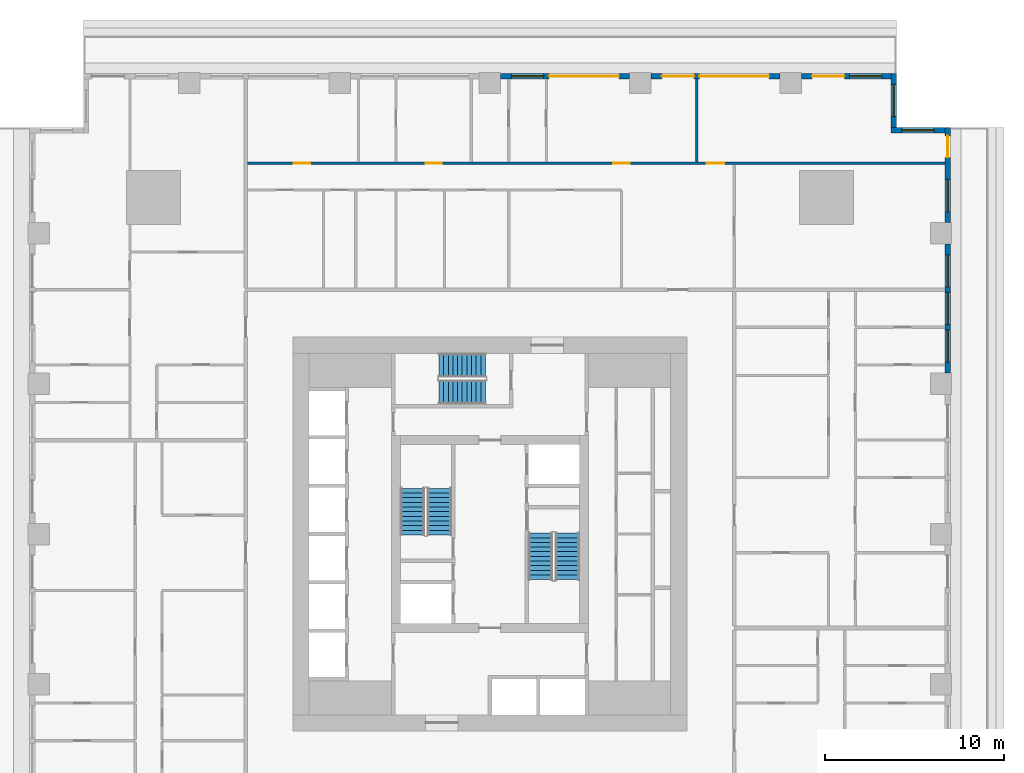
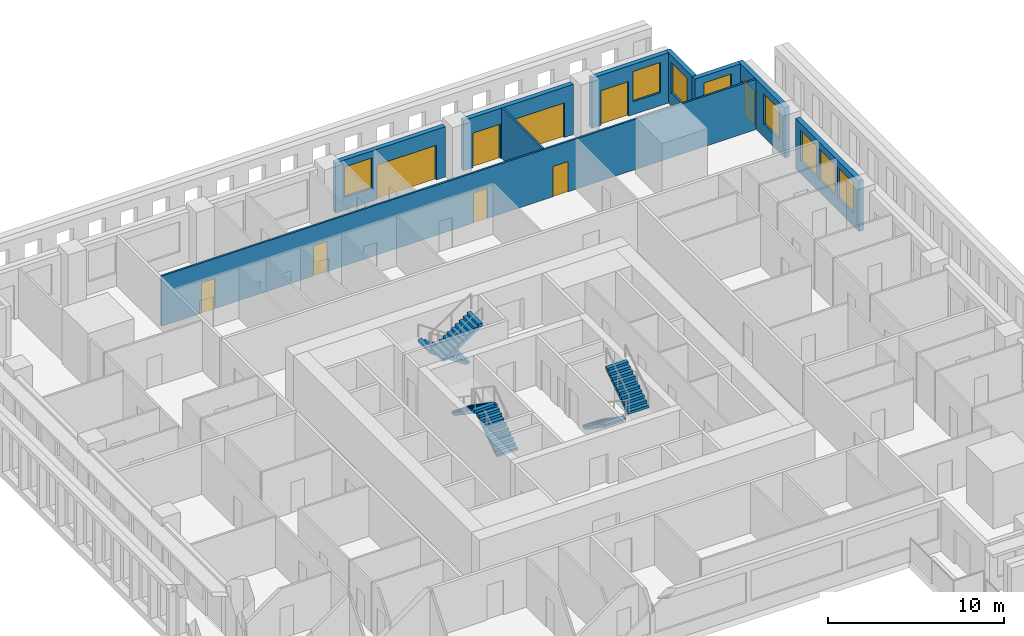
# One storey, part 9 of 14: 9 doors, 9 walls, 8 windows, 6 stair flights, 17 openings, 3 elements without a shape of their own.
"""IFC4 building model written with IfcOpenShell, lengths in metres."""

from ifc_helpers import new_model, si_unit, direction, frame, frame_2d, origin, place, context, subcontext, project, spatial, polyline, rectangle, outline, extrude, material, layer, layer_set, type_object, element, fill, aggregate, save


model = new_model("IFC4")

# Units and contexts
model_context = context("Model", 3, precision=1e-05, world=origin(), true_north=direction((0.0, 1.0)))
body_context = subcontext(model_context, "Body", "Model", "MODEL_VIEW")
ifc_project = project(units=[si_unit("LENGTHUNIT", "METRE"), si_unit("AREAUNIT", "SQUARE_METRE"), si_unit("VOLUMEUNIT", "CUBIC_METRE"), si_unit("PLANEANGLEUNIT", "RADIAN"), si_unit("MASSUNIT", "GRAM", prefix="KILO")], contexts=[model_context])

# Site, building, storey
site_placement = place(None, origin())
site = spatial("IfcSite", under=ifc_project, at=site_placement, CompositionType="ELEMENT")
building_placement = place(site_placement, origin())
building = spatial("IfcBuilding", under=site, at=building_placement, Name="Khepri Terraces", CompositionType="ELEMENT")
storey_placement = place(building_placement, frame((0.0, 0.0, 66.0)))
storey = spatial("IfcBuildingStorey", under=building, at=storey_placement, Name="L15", CompositionType="ELEMENT", Elevation=66.0)

# Wall, openings, windows
ifc_material_1 = material(Name="Precast concrete C50/60 warm stone", Category="masonry")
ifc_layer_1 = layer(ifc_material_1, 0.300048828125, Name="Precast concrete C50/60 warm stone", Category="masonry")
ifc_layer_set_1 = layer_set([ifc_layer_1], Name="Precast concrete C50/60 warm stone")
wall_type_1 = type_object("IfcWallType", Name="WL-EXT-PRECAST-300", PredefinedType="STANDARD", material=ifc_layer_set_1)
wall_1_placement = place(storey_placement, frame((25.570068359375, 9.0, 0.0), z_axis=(0.0, 0.0, 1.0), x_axis=(0.0, 1.0, 0.0)))
wall_1 = element("IfcWall", 1, at=wall_1_placement, inside=storey, type_object=wall_type_1, Name="External wall L15 E", PredefinedType="STANDARD", context=body_context, shape_type="SweptSolid", body=[
    extrude(rectangle(XDim=7.199951171875, YDim=0.300048828125, at=frame_2d((3.60009765625, 0.0))), origin(), (0.0, 0.0, 1.0), 3.47998046875),
])
opening_1_placement = place(wall_1_placement, frame((0.60009765625, 0.0, 0.89990234375)))
opening_1 = element("IfcOpeningElement", 2, at=opening_1_placement, cuts=wall_1, Name="Opening W1", PredefinedType="OPENING", context=body_context, shape_type="SweptSolid", body=[
    extrude(rectangle(XDim=1.800048828125, YDim=2.10009765625, at=frame_2d((0.89990234375, 1.050048828125))), frame((0.0, 0.16015625, 0.0), z_axis=(0.0, -1.0, 0.0), x_axis=(1.0, 0.0, 0.0)), (0.0, 0.0, 1.0), 0.320068359375),
])
opening_2_placement = place(wall_1_placement, frame((2.699951171875, 0.0, 0.89990234375)))
opening_2 = element("IfcOpeningElement", 3, at=opening_2_placement, cuts=wall_1, Name="Opening W1", PredefinedType="OPENING", context=body_context, shape_type="SweptSolid", body=[
    extrude(rectangle(XDim=1.800048828125, YDim=2.10009765625, at=frame_2d((0.89990234375, 1.050048828125))), frame((0.0, 0.16015625, 0.0), z_axis=(0.0, -1.0, 0.0), x_axis=(1.0, 0.0, 0.0)), (0.0, 0.0, 1.0), 0.320068359375),
])
opening_3_placement = place(wall_1_placement, frame((4.800048828125, 0.0, 0.89990234375)))
opening_3 = element("IfcOpeningElement", 4, at=opening_3_placement, cuts=wall_1, Name="Opening W1", PredefinedType="OPENING", context=body_context, shape_type="SweptSolid", body=[
    extrude(rectangle(XDim=1.800048828125, YDim=2.10009765625, at=frame_2d((0.89990234375, 1.050048828125))), frame((0.0, 0.16015625, 0.0), z_axis=(0.0, -1.0, 0.0), x_axis=(1.0, 0.0, 0.0)), (0.0, 0.0, 1.0), 0.320068359375),
])
ifc_material_2 = material(Name="Clear glass", Category="glass")
window_type = type_object("IfcWindowType", Name="WIN-RES-1800x2100", PartitioningType="SINGLE_PANEL", PredefinedType="WINDOW", material=ifc_material_2)
window_1_placement = place(opening_1_placement, origin())
window_1 = element("IfcWindow", 5, at=window_1_placement, inside=storey, type_object=window_type, Name="Window L15 E", OverallHeight=2.10009765625, OverallWidth=1.800048828125, PartitioningType="SINGLE_PANEL", PredefinedType="WINDOW", context=body_context, shape_type="SweptSolid", body=[
    extrude(rectangle(XDim=1.800048828125, YDim=2.10009765625, at=frame_2d((0.89990234375, 1.050048828125))), frame((0.0, 0.030029296875, 0.0), z_axis=(0.0, -1.0, 0.0), x_axis=(1.0, 0.0, 0.0)), (0.0, 0.0, 1.0), 0.06005859375),
])
fill(opening_1, window_1)
window_2_placement = place(opening_2_placement, origin())
window_2 = element("IfcWindow", 6, at=window_2_placement, inside=storey, type_object=window_type, Name="Window L15 E", OverallHeight=2.10009765625, OverallWidth=1.800048828125, PartitioningType="SINGLE_PANEL", PredefinedType="WINDOW", context=body_context, shape_type="SweptSolid", body=[
    extrude(rectangle(XDim=1.800048828125, YDim=2.10009765625, at=frame_2d((0.89990234375, 1.050048828125))), frame((0.0, 0.030029296875, 0.0), z_axis=(0.0, -1.0, 0.0), x_axis=(1.0, 0.0, 0.0)), (0.0, 0.0, 1.0), 0.06005859375),
])
fill(opening_2, window_2)
window_3_placement = place(opening_3_placement, origin())
window_3 = element("IfcWindow", 7, at=window_3_placement, inside=storey, type_object=window_type, Name="Window L15 E", OverallHeight=2.10009765625, OverallWidth=1.800048828125, PartitioningType="SINGLE_PANEL", PredefinedType="WINDOW", context=body_context, shape_type="SweptSolid", body=[
    extrude(rectangle(XDim=1.800048828125, YDim=2.10009765625, at=frame_2d((0.89990234375, 1.050048828125))), frame((0.0, 0.030029296875, 0.0), z_axis=(0.0, -1.0, 0.0), x_axis=(1.0, 0.0, 0.0)), (0.0, 0.0, 1.0), 0.06005859375),
])
fill(opening_3, window_3)

# Wall, openings, door, window
wall_2_placement = place(storey_placement, frame((25.570068359375, 17.39990234375, 0.0), z_axis=(0.0, 0.0, 1.0), x_axis=(0.0, 1.0, 0.0)))
wall_2 = element("IfcWall", 8, at=wall_2_placement, inside=storey, type_object=wall_type_1, Name="External wall L15 E", PredefinedType="STANDARD", context=body_context, shape_type="SweptSolid", body=[
    extrude(rectangle(XDim=5.320068359375, YDim=0.300048828125, at=frame_2d((2.66015625, 0.0))), origin(), (0.0, 0.0, 1.0), 3.47998046875),
])
opening_4_placement = place(wall_2_placement, frame((0.60009765625, 0.0, 0.89990234375)))
opening_4 = element("IfcOpeningElement", 9, at=opening_4_placement, cuts=wall_2, Name="Opening W1", PredefinedType="OPENING", context=body_context, shape_type="SweptSolid", body=[
    extrude(rectangle(XDim=1.800048828125, YDim=2.10009765625, at=frame_2d((0.89990234375, 1.050048828125))), frame((0.0, 0.16015625, 0.0), z_axis=(0.0, -1.0, 0.0), x_axis=(1.0, 0.0, 0.0)), (0.0, 0.0, 1.0), 0.320068359375),
])
opening_5_placement = place(wall_2_placement, frame((3.64501953125, 0.0, 0.0)))
opening_5 = element("IfcOpeningElement", 10, at=opening_5_placement, cuts=wall_2, Name="Opening ED-L15-06", PredefinedType="OPENING", context=body_context, shape_type="SweptSolid", body=[
    extrude(rectangle(XDim=1.199951171875, YDim=2.39990234375, at=frame_2d((0.60009765625, 1.199951171875))), frame((0.0, 0.16015625, 0.0), z_axis=(0.0, -1.0, 0.0), x_axis=(1.0, 0.0, 0.0)), (0.0, 0.0, 1.0), 0.320068359375),
])
ifc_material_3 = material(Name="Anodised aluminium bronze glazed door", Category="aluminium")
door_type_1 = type_object("IfcDoorType", Name="DR-BAL-SLIDE-1200x2400", OperationType="NOTDEFINED", PredefinedType="DOOR", material=ifc_material_3)
door_1_placement = place(opening_5_placement, origin())
door_1 = element("IfcDoor", 11, at=door_1_placement, inside=storey, type_object=door_type_1, Name="Balcony door L15 E", OperationType="SLIDING_TO_RIGHT", OverallHeight=2.39990234375, OverallWidth=1.199951171875, PredefinedType="DOOR", context=body_context, shape_type="SweptSolid", body=[
    extrude(rectangle(XDim=1.199951171875, YDim=2.39990234375, at=frame_2d((0.60009765625, 1.199951171875))), frame((0.0, 0.02490234375, 0.0), z_axis=(0.0, -1.0, 0.0), x_axis=(1.0, 0.0, 0.0)), (0.0, 0.0, 1.0), 0.050048828125),
])
fill(opening_5, door_1)
window_4_placement = place(opening_4_placement, origin())
window_4 = element("IfcWindow", 12, at=window_4_placement, inside=storey, type_object=window_type, Name="Window L15 E", OverallHeight=2.10009765625, OverallWidth=1.800048828125, PartitioningType="SINGLE_PANEL", PredefinedType="WINDOW", context=body_context, shape_type="SweptSolid", body=[
    extrude(rectangle(XDim=1.800048828125, YDim=2.10009765625, at=frame_2d((0.89990234375, 1.050048828125))), frame((0.0, 0.030029296875, 0.0), z_axis=(0.0, -1.0, 0.0), x_axis=(1.0, 0.0, 0.0)), (0.0, 0.0, 1.0), 0.06005859375),
])
fill(opening_4, window_4)

# Wall, opening, window
wall_3_placement = place(storey_placement, frame((25.419921875, 22.570068359375, 0.0), z_axis=(0.0, 0.0, 1.0), x_axis=(-1.0, 0.0, 0.0)))
wall_3 = element("IfcWall", 13, at=wall_3_placement, inside=storey, type_object=wall_type_1, Name="External wall L15 N", PredefinedType="STANDARD", context=body_context, shape_type="SweptSolid", body=[
    extrude(rectangle(XDim=3.0, YDim=0.300048828125, at=frame_2d((1.5, 0.0))), origin(), (0.0, 0.0, 1.0), 3.47998046875),
])
opening_6_placement = place(wall_3_placement, frame((0.60009765625, 0.0, 0.89990234375)))
opening_6 = element("IfcOpeningElement", 14, at=opening_6_placement, cuts=wall_3, Name="Opening W1", PredefinedType="OPENING", context=body_context, shape_type="SweptSolid", body=[
    extrude(rectangle(XDim=1.800048828125, YDim=2.10009765625, at=frame_2d((0.89990234375, 1.050048828125))), frame((0.0, 0.16015625, 0.0), z_axis=(0.0, -1.0, 0.0), x_axis=(1.0, 0.0, 0.0)), (0.0, 0.0, 1.0), 0.320068359375),
])
window_5_placement = place(opening_6_placement, origin())
window_5 = element("IfcWindow", 15, at=window_5_placement, inside=storey, type_object=window_type, Name="Window L15 N", OverallHeight=2.10009765625, OverallWidth=1.800048828125, PartitioningType="SINGLE_PANEL", PredefinedType="WINDOW", context=body_context, shape_type="SweptSolid", body=[
    extrude(rectangle(XDim=1.800048828125, YDim=2.10009765625, at=frame_2d((0.89990234375, 1.050048828125))), frame((0.0, 0.030029296875, 0.0), z_axis=(0.0, -1.0, 0.0), x_axis=(1.0, 0.0, 0.0)), (0.0, 0.0, 1.0), 0.06005859375),
])
fill(opening_6, window_5)

wall_4_placement = place(storey_placement, frame((22.570068359375, 22.719970703125, 0.0), z_axis=(0.0, 0.0, 1.0), x_axis=(0.0, 1.0, 0.0)))
wall_4 = element("IfcWall", 16, at=wall_4_placement, inside=storey, type_object=wall_type_1, Name="External wall L15 E", PredefinedType="STANDARD", context=body_context, shape_type="SweptSolid", body=[
    extrude(rectangle(XDim=3.0, YDim=0.300048828125, at=frame_2d((1.5, 0.0))), origin(), (0.0, 0.0, 1.0), 3.47998046875),
])
opening_7_placement = place(wall_4_placement, frame((0.60009765625, 0.0, 0.89990234375)))
opening_7 = element("IfcOpeningElement", 17, at=opening_7_placement, cuts=wall_4, Name="Opening W1", PredefinedType="OPENING", context=body_context, shape_type="SweptSolid", body=[
    extrude(rectangle(XDim=1.800048828125, YDim=2.10009765625, at=frame_2d((0.89990234375, 1.050048828125))), frame((0.0, 0.16015625, 0.0), z_axis=(0.0, -1.0, 0.0), x_axis=(1.0, 0.0, 0.0)), (0.0, 0.0, 1.0), 0.320068359375),
])
window_6_placement = place(opening_7_placement, origin())
window_6 = element("IfcWindow", 18, at=window_6_placement, inside=storey, type_object=window_type, Name="Window L15 E", OverallHeight=2.10009765625, OverallWidth=1.800048828125, PartitioningType="SINGLE_PANEL", PredefinedType="WINDOW", context=body_context, shape_type="SweptSolid", body=[
    extrude(rectangle(XDim=1.800048828125, YDim=2.10009765625, at=frame_2d((0.89990234375, 1.050048828125))), frame((0.0, 0.030029296875, 0.0), z_axis=(0.0, -1.0, 0.0), x_axis=(1.0, 0.0, 0.0)), (0.0, 0.0, 1.0), 0.06005859375),
])
fill(opening_7, window_6)

# Wall, openings, door, window
wall_5_placement = place(storey_placement, frame((22.419921875, 25.570068359375, 0.0), z_axis=(0.0, 0.0, 1.0), x_axis=(-1.0, 0.0, 0.0)))
wall_5 = element("IfcWall", 19, at=wall_5_placement, inside=storey, type_object=wall_type_1, Name="External wall L15 N", PredefinedType="STANDARD", context=body_context, shape_type="SweptSolid", body=[
    extrude(rectangle(XDim=5.02001953125, YDim=0.300048828125, at=frame_2d((2.510009765625, 0.0))), origin(), (0.0, 0.0, 1.0), 3.47998046875),
])
opening_8_placement = place(wall_5_placement, frame((0.52001953125, 0.0, 0.89990234375)))
opening_8 = element("IfcOpeningElement", 20, at=opening_8_placement, cuts=wall_5, Name="Opening W1", PredefinedType="OPENING", context=body_context, shape_type="SweptSolid", body=[
    extrude(rectangle(XDim=1.800048828125, YDim=2.10009765625, at=frame_2d((0.89990234375, 1.050048828125))), frame((0.0, 0.16015625, 0.0), z_axis=(0.0, -1.0, 0.0), x_axis=(1.0, 0.0, 0.0)), (0.0, 0.0, 1.0), 0.320068359375),
])
opening_9_placement = place(wall_5_placement, frame((2.6201171875, 0.0, 0.0)))
opening_9 = element("IfcOpeningElement", 21, at=opening_9_placement, cuts=wall_5, Name="Opening ED-L15-07", PredefinedType="OPENING", context=body_context, shape_type="SweptSolid", body=[
    extrude(rectangle(XDim=1.800048828125, YDim=2.39990234375, at=frame_2d((0.89990234375, 1.199951171875))), frame((0.0, 0.16015625, 0.0), z_axis=(0.0, -1.0, 0.0), x_axis=(1.0, 0.0, 0.0)), (0.0, 0.0, 1.0), 0.320068359375),
])
door_type_2 = type_object("IfcDoorType", Name="DR-BAL-SLIDE-1800x2400", OperationType="NOTDEFINED", PredefinedType="DOOR", material=ifc_material_3)
door_2_placement = place(opening_9_placement, origin())
door_2 = element("IfcDoor", 22, at=door_2_placement, inside=storey, type_object=door_type_2, Name="Balcony door L15 N", OperationType="SLIDING_TO_RIGHT", OverallHeight=2.39990234375, OverallWidth=1.800048828125, PredefinedType="DOOR", context=body_context, shape_type="SweptSolid", body=[
    extrude(rectangle(XDim=1.800048828125, YDim=2.39990234375, at=frame_2d((0.89990234375, 1.199951171875))), frame((0.0, 0.02490234375, 0.0), z_axis=(0.0, -1.0, 0.0), x_axis=(1.0, 0.0, 0.0)), (0.0, 0.0, 1.0), 0.050048828125),
])
fill(opening_9, door_2)
window_7_placement = place(opening_8_placement, origin())
window_7 = element("IfcWindow", 23, at=window_7_placement, inside=storey, type_object=window_type, Name="Window L15 N", OverallHeight=2.10009765625, OverallWidth=1.800048828125, PartitioningType="SINGLE_PANEL", PredefinedType="WINDOW", context=body_context, shape_type="SweptSolid", body=[
    extrude(rectangle(XDim=1.800048828125, YDim=2.10009765625, at=frame_2d((0.89990234375, 1.050048828125))), frame((0.0, 0.030029296875, 0.0), z_axis=(0.0, -1.0, 0.0), x_axis=(1.0, 0.0, 0.0)), (0.0, 0.0, 1.0), 0.06005859375),
])
fill(opening_8, window_7)

# Wall, openings, doors
wall_6_placement = place(storey_placement, frame((16.199951171875, 25.570068359375, 0.0), z_axis=(0.0, 0.0, 1.0), x_axis=(-1.0, 0.0, 0.0)))
wall_6 = element("IfcWall", 24, at=wall_6_placement, inside=storey, type_object=wall_type_1, Name="External wall L15 N", PredefinedType="STANDARD", context=body_context, shape_type="SweptSolid", body=[
    extrude(rectangle(XDim=7.199951171875, YDim=0.300048828125, at=frame_2d((3.60009765625, 0.0))), origin(), (0.0, 0.0, 1.0), 3.47998046875),
])
opening_10_placement = place(wall_6_placement, frame((0.60009765625, 0.0, 0.0)))
opening_10 = element("IfcOpeningElement", 25, at=opening_10_placement, cuts=wall_6, Name="Opening ED-L15-08", PredefinedType="OPENING", context=body_context, shape_type="SweptSolid", body=[
    extrude(rectangle(XDim=3.89990234375, YDim=2.39990234375, at=frame_2d((1.949951171875, 1.199951171875))), frame((0.0, 0.16015625, 0.0), z_axis=(0.0, -1.0, 0.0), x_axis=(1.0, 0.0, 0.0)), (0.0, 0.0, 1.0), 0.320068359375),
])
opening_11_placement = place(wall_6_placement, frame((4.800048828125, 0.0, 0.0)))
opening_11 = element("IfcOpeningElement", 26, at=opening_11_placement, cuts=wall_6, Name="Opening ED-L15-09", PredefinedType="OPENING", context=body_context, shape_type="SweptSolid", body=[
    extrude(rectangle(XDim=1.800048828125, YDim=2.39990234375, at=frame_2d((0.89990234375, 1.199951171875))), frame((0.0, 0.16015625, 0.0), z_axis=(0.0, -1.0, 0.0), x_axis=(1.0, 0.0, 0.0)), (0.0, 0.0, 1.0), 0.320068359375),
])
door_3_placement = place(opening_11_placement, origin())
door_3 = element("IfcDoor", 27, at=door_3_placement, inside=storey, type_object=door_type_2, Name="Balcony door L15 N", OperationType="SLIDING_TO_RIGHT", OverallHeight=2.39990234375, OverallWidth=1.800048828125, PredefinedType="DOOR", context=body_context, shape_type="SweptSolid", body=[
    extrude(rectangle(XDim=1.800048828125, YDim=2.39990234375, at=frame_2d((0.89990234375, 1.199951171875))), frame((0.0, 0.02490234375, 0.0), z_axis=(0.0, -1.0, 0.0), x_axis=(1.0, 0.0, 0.0)), (0.0, 0.0, 1.0), 0.050048828125),
])
fill(opening_11, door_3)
door_type_3 = type_object("IfcDoorType", Name="DR-BAL-SLIDE-3900x2400", OperationType="NOTDEFINED", PredefinedType="DOOR", material=ifc_material_3)
door_4_placement = place(opening_10_placement, origin())
door_4 = element("IfcDoor", 28, at=door_4_placement, inside=storey, type_object=door_type_3, Name="Balcony door L15 N", OperationType="SLIDING_TO_LEFT", OverallHeight=2.39990234375, OverallWidth=3.89990234375, PredefinedType="DOOR", context=body_context, shape_type="SweptSolid", body=[
    extrude(rectangle(XDim=3.89990234375, YDim=2.39990234375, at=frame_2d((1.949951171875, 1.199951171875))), frame((0.0, 0.02490234375, 0.0), z_axis=(0.0, -1.0, 0.0), x_axis=(1.0, 0.0, 0.0)), (0.0, 0.0, 1.0), 0.050048828125),
])
fill(opening_10, door_4)

# Wall, openings, door, window
wall_7_placement = place(storey_placement, frame((7.800048828125, 25.570068359375, 0.0), z_axis=(0.0, 0.0, 1.0), x_axis=(-1.0, 0.0, 0.0)))
wall_7 = element("IfcWall", 29, at=wall_7_placement, inside=storey, type_object=wall_type_1, Name="External wall L15 N", PredefinedType="STANDARD", context=body_context, shape_type="SweptSolid", body=[
    extrude(rectangle(XDim=7.199951171875, YDim=0.300048828125, at=frame_2d((3.60009765625, 0.0))), origin(), (0.0, 0.0, 1.0), 3.47998046875),
])
opening_12_placement = place(wall_7_placement, frame((0.60009765625, 0.0, 0.0)))
opening_12 = element("IfcOpeningElement", 30, at=opening_12_placement, cuts=wall_7, Name="Opening ED-L15-10", PredefinedType="OPENING", context=body_context, shape_type="SweptSolid", body=[
    extrude(rectangle(XDim=3.89990234375, YDim=2.39990234375, at=frame_2d((1.949951171875, 1.199951171875))), frame((0.0, 0.16015625, 0.0), z_axis=(0.0, -1.0, 0.0), x_axis=(1.0, 0.0, 0.0)), (0.0, 0.0, 1.0), 0.320068359375),
])
opening_13_placement = place(wall_7_placement, frame((4.800048828125, 0.0, 0.89990234375)))
opening_13 = element("IfcOpeningElement", 31, at=opening_13_placement, cuts=wall_7, Name="Opening W1", PredefinedType="OPENING", context=body_context, shape_type="SweptSolid", body=[
    extrude(rectangle(XDim=1.800048828125, YDim=2.10009765625, at=frame_2d((0.89990234375, 1.050048828125))), frame((0.0, 0.16015625, 0.0), z_axis=(0.0, -1.0, 0.0), x_axis=(1.0, 0.0, 0.0)), (0.0, 0.0, 1.0), 0.320068359375),
])
door_5_placement = place(opening_12_placement, origin())
door_5 = element("IfcDoor", 32, at=door_5_placement, inside=storey, type_object=door_type_3, Name="Balcony door L15 N", OperationType="SLIDING_TO_LEFT", OverallHeight=2.39990234375, OverallWidth=3.89990234375, PredefinedType="DOOR", context=body_context, shape_type="SweptSolid", body=[
    extrude(rectangle(XDim=3.89990234375, YDim=2.39990234375, at=frame_2d((1.949951171875, 1.199951171875))), frame((0.0, 0.02490234375, 0.0), z_axis=(0.0, -1.0, 0.0), x_axis=(1.0, 0.0, 0.0)), (0.0, 0.0, 1.0), 0.050048828125),
])
fill(opening_12, door_5)
window_8_placement = place(opening_13_placement, origin())
window_8 = element("IfcWindow", 33, at=window_8_placement, inside=storey, type_object=window_type, Name="Window L15 N", OverallHeight=2.10009765625, OverallWidth=1.800048828125, PartitioningType="SINGLE_PANEL", PredefinedType="WINDOW", context=body_context, shape_type="SweptSolid", body=[
    extrude(rectangle(XDim=1.800048828125, YDim=2.10009765625, at=frame_2d((0.89990234375, 1.050048828125))), frame((0.0, 0.030029296875, 0.0), z_axis=(0.0, -1.0, 0.0), x_axis=(1.0, 0.0, 0.0)), (0.0, 0.0, 1.0), 0.06005859375),
])
fill(opening_13, window_8)

# Wall, openings, doors
ifc_material_4 = material(Name="Gypsum plasterboard partition")
ifc_layer_2 = layer(ifc_material_4, 0.1201171875, Name="Gypsum plasterboard partition")
ifc_layer_set_2 = layer_set([ifc_layer_2], Name="Gypsum plasterboard partition")
wall_type_2 = type_object("IfcWallType", Name="WL-PART-120", PredefinedType="PARTITIONING", material=ifc_layer_set_2)
wall_8_placement = place(storey_placement, frame((-13.550048828125, 20.719970703125, 0.0), z_axis=(0.0, 0.0, 1.0), x_axis=(1.0, 0.0, 0.0)))
wall_8 = element("IfcWall", 34, at=wall_8_placement, inside=storey, type_object=wall_type_2, Name="Partition P-093 L15", PredefinedType="PARTITIONING", context=body_context, shape_type="SweptSolid", body=[
    extrude(rectangle(XDim=38.969970703125, YDim=0.1201171875, at=frame_2d((19.48486328125, 0.0))), origin(), (0.0, 0.0, 1.0), 3.47998046875),
])
opening_14_placement = place(wall_8_placement, frame((25.64990234375, 0.0, 0.0)))
opening_14 = element("IfcOpeningElement", 35, at=opening_14_placement, cuts=wall_8, Name="Opening D2", PredefinedType="OPENING", context=body_context, shape_type="SweptSolid", body=[
    extrude(rectangle(XDim=1.0, YDim=2.10009765625, at=frame_2d((0.5, 1.050048828125))), frame((0.0, 0.070068359375, 0.0), z_axis=(0.0, -1.0, 0.0), x_axis=(1.0, 0.0, 0.0)), (0.0, 0.0, 1.0), 0.14013671875),
])
opening_15_placement = place(wall_8_placement, frame((20.449951171875, 0.0, 0.0)))
opening_15 = element("IfcOpeningElement", 36, at=opening_15_placement, cuts=wall_8, Name="Opening D3", PredefinedType="OPENING", context=body_context, shape_type="SweptSolid", body=[
    extrude(rectangle(XDim=0.89990234375, YDim=2.10009765625, at=frame_2d((0.449951171875, 1.050048828125))), frame((0.0, 0.070068359375, 0.0), z_axis=(0.0, -1.0, 0.0), x_axis=(1.0, 0.0, 0.0)), (0.0, 0.0, 1.0), 0.14013671875),
])
opening_16_placement = place(wall_8_placement, frame((9.949951171875, 0.0, 0.0)))
opening_16 = element("IfcOpeningElement", 37, at=opening_16_placement, cuts=wall_8, Name="Opening D3", PredefinedType="OPENING", context=body_context, shape_type="SweptSolid", body=[
    extrude(rectangle(XDim=0.89990234375, YDim=2.10009765625, at=frame_2d((0.449951171875, 1.050048828125))), frame((0.0, 0.070068359375, 0.0), z_axis=(0.0, -1.0, 0.0), x_axis=(1.0, 0.0, 0.0)), (0.0, 0.0, 1.0), 0.14013671875),
])
opening_17_placement = place(wall_8_placement, frame((2.60009765625, 0.0, 0.0)))
opening_17 = element("IfcOpeningElement", 38, at=opening_17_placement, cuts=wall_8, Name="Opening D3", PredefinedType="OPENING", context=body_context, shape_type="SweptSolid", body=[
    extrude(rectangle(XDim=0.89990234375, YDim=2.10009765625, at=frame_2d((0.449951171875, 1.050048828125))), frame((0.0, 0.070068359375, 0.0), z_axis=(0.0, -1.0, 0.0), x_axis=(1.0, 0.0, 0.0)), (0.0, 0.0, 1.0), 0.14013671875),
])
ifc_material_5 = material(Name="Timber door leaf, living room door", Category="wood")
door_type_4 = type_object("IfcDoorType", Name="DR-INT-1000", OperationType="NOTDEFINED", PredefinedType="DOOR", material=ifc_material_5)
door_6_placement = place(opening_14_placement, origin())
door_6 = element("IfcDoor", 39, at=door_6_placement, inside=storey, type_object=door_type_4, Name="Door Living Room", OperationType="SINGLE_SWING_RIGHT", OverallHeight=2.10009765625, OverallWidth=1.0, PredefinedType="DOOR", context=body_context, shape_type="SweptSolid", body=[
    extrude(rectangle(XDim=1.0, YDim=2.10009765625, at=frame_2d((0.5, 1.050048828125))), frame((0.0, 0.02490234375, 0.0), z_axis=(0.0, -1.0, 0.0), x_axis=(1.0, 0.0, 0.0)), (0.0, 0.0, 1.0), 0.050048828125),
])
fill(opening_14, door_6)
ifc_material_6 = material(Name="Timber door leaf", Category="wood")
door_type_5 = type_object("IfcDoorType", Name="DR-INT-900", OperationType="NOTDEFINED", PredefinedType="DOOR", material=ifc_material_6)
door_7_placement = place(opening_15_placement, origin())
door_7 = element("IfcDoor", 40, at=door_7_placement, inside=storey, type_object=door_type_5, Name="Door Master Bedroom", OperationType="SINGLE_SWING_RIGHT", OverallHeight=2.10009765625, OverallWidth=0.89990234375, PredefinedType="DOOR", context=body_context, shape_type="SweptSolid", body=[
    extrude(rectangle(XDim=0.89990234375, YDim=2.10009765625, at=frame_2d((0.449951171875, 1.050048828125))), frame((0.0, 0.02490234375, 0.0), z_axis=(0.0, -1.0, 0.0), x_axis=(1.0, 0.0, 0.0)), (0.0, 0.0, 1.0), 0.050048828125),
])
fill(opening_15, door_7)
door_8_placement = place(opening_16_placement, origin())
door_8 = element("IfcDoor", 41, at=door_8_placement, inside=storey, type_object=door_type_5, Name="Door Bedroom", OperationType="SINGLE_SWING_LEFT", OverallHeight=2.10009765625, OverallWidth=0.89990234375, PredefinedType="DOOR", context=body_context, shape_type="SweptSolid", body=[
    extrude(rectangle(XDim=0.89990234375, YDim=2.10009765625, at=frame_2d((0.449951171875, 1.050048828125))), frame((0.0, 0.02490234375, 0.0), z_axis=(0.0, -1.0, 0.0), x_axis=(1.0, 0.0, 0.0)), (0.0, 0.0, 1.0), 0.050048828125),
])
fill(opening_16, door_8)
door_9_placement = place(opening_17_placement, origin())
door_9 = element("IfcDoor", 42, at=door_9_placement, inside=storey, type_object=door_type_5, Name="Door Home Gym", OperationType="SINGLE_SWING_LEFT", OverallHeight=2.10009765625, OverallWidth=0.89990234375, PredefinedType="DOOR", context=body_context, shape_type="SweptSolid", body=[
    extrude(rectangle(XDim=0.89990234375, YDim=2.10009765625, at=frame_2d((0.449951171875, 1.050048828125))), frame((0.0, 0.02490234375, 0.0), z_axis=(0.0, -1.0, 0.0), x_axis=(1.0, 0.0, 0.0)), (0.0, 0.0, 1.0), 0.050048828125),
])
fill(opening_17, door_9)

# Wall
wall_9_placement = place(storey_placement, frame((11.550048828125, 20.780029296875, 0.0), z_axis=(0.0, 0.0, 1.0), x_axis=(0.0, 1.0, 0.0)))
element("IfcWall", 43, at=wall_9_placement, inside=storey, type_object=wall_type_2, Name="Partition P-099 L15", PredefinedType="PARTITIONING", context=body_context, shape_type="SweptSolid", body=[
    extrude(rectangle(XDim=4.639892578125, YDim=0.1201171875, at=frame_2d((2.31982421875, 0.0))), origin(), (0.0, 0.0, 1.0), 3.47998046875),
])

# Stair, stair flights
ifc_material_7 = material(Name="Concrete C40/50", Category="concrete")
stair_type = type_object("IfcStairType", Name="STAIR-RC-22R", PredefinedType="HALF_TURN_STAIR", material=ifc_material_7)
stair_1_placement = place(storey_placement, origin())
stair_1 = element("IfcStair", 44, at=stair_1_placement, inside=storey, type_object=stair_type, Name="L15 Exit Stair ST-1", PredefinedType="HALF_TURN_STAIR")
stair_flight_type = type_object("IfcStairFlightType", Name="SFL-RC-177.3", PredefinedType="STRAIGHT", material=ifc_material_7)
stair_flight_1_placement = place(storey_placement, frame((-2.824951171875, -0.050048828125, 0.0), z_axis=(0.0, 0.0, 1.0), x_axis=(0.0, 1.0, 0.0)))
stair_flight_1 = element("IfcStairFlight", 45, at=stair_flight_1_placement, type_object=stair_flight_type, Name="ST-1 flight 1", NumberOfRisers=11, NumberOfTreads=10, PredefinedType="STRAIGHT", RiserHeight=0.177272727, TreadLength=0.26, context=body_context, shape_type="SweptSolid", body=[
    extrude(outline(polyline([(0.0, 0.0), (0.0, 0.17724609375), (0.260009765625, 0.17724609375), (0.260009765625, 0.3544921875), (0.52001953125, 0.3544921875), (0.52001953125, 0.53173828125), (0.780029296875, 0.53173828125), (0.780029296875, 0.708984375), (1.0400390625, 0.708984375), (1.0400390625, 0.886474609375), (1.300048828125, 0.886474609375), (1.300048828125, 1.063720703125), (1.56005859375, 1.063720703125), (1.56005859375, 1.240966796875), (1.820068359375, 1.240966796875), (1.820068359375, 1.418212890625), (2.080078125, 1.418212890625), (2.080078125, 1.595458984375), (2.340087890625, 1.595458984375), (2.340087890625, 1.772705078125), (2.60009765625, 1.772705078125), (2.60009765625, 1.949951171875), (2.60009765625, 1.59130859375), (0.26611328125, 0.0), (0.0, 0.0)])), frame((0.0, 0.675048828125, 0.0), z_axis=(0.0, -1.0, 0.0), x_axis=(1.0, 0.0, 0.0)), (0.0, 0.0, 1.0), 1.35009765625),
])
stair_flight_2_placement = place(storey_placement, frame((-4.324951171875, 2.550048828125, 1.949951171875), z_axis=(0.0, 0.0, 1.0), x_axis=(0.0, -1.0, 0.0)))
stair_flight_2 = element("IfcStairFlight", 46, at=stair_flight_2_placement, type_object=stair_flight_type, Name="ST-1 flight 2", NumberOfRisers=11, NumberOfTreads=10, PredefinedType="STRAIGHT", RiserHeight=0.177272727, TreadLength=0.26, context=body_context, shape_type="SweptSolid", body=[
    extrude(outline(polyline([(0.0, 0.0), (0.0, 0.17724609375), (0.260009765625, 0.17724609375), (0.260009765625, 0.3544921875), (0.52001953125, 0.3544921875), (0.52001953125, 0.53173828125), (0.780029296875, 0.53173828125), (0.780029296875, 0.708984375), (1.0400390625, 0.708984375), (1.0400390625, 0.886474609375), (1.300048828125, 0.886474609375), (1.300048828125, 1.063720703125), (1.56005859375, 1.063720703125), (1.56005859375, 1.240966796875), (1.820068359375, 1.240966796875), (1.820068359375, 1.418212890625), (2.080078125, 1.418212890625), (2.080078125, 1.595458984375), (2.340087890625, 1.595458984375), (2.340087890625, 1.772705078125), (2.60009765625, 1.772705078125), (2.60009765625, 1.949951171875), (2.60009765625, 1.59130859375), (0.26611328125, 0.0), (0.0, 0.0)])), frame((0.0, 0.675048828125, 0.0), z_axis=(0.0, -1.0, 0.0), x_axis=(1.0, 0.0, 0.0)), (0.0, 0.0, 1.0), 1.35009765625),
])
aggregate(stair_1, [stair_flight_1, stair_flight_2])

stair_2_placement = place(storey_placement, origin())
stair_2 = element("IfcStair", 47, at=stair_2_placement, inside=storey, type_object=stair_type, Name="L15 Exit Stair ST-2", PredefinedType="HALF_TURN_STAIR")
stair_flight_3_placement = place(storey_placement, frame((2.824951171875, 0.050048828125, 0.0), z_axis=(0.0, 0.0, 1.0), x_axis=(0.0, -1.0, 0.0)))
stair_flight_3 = element("IfcStairFlight", 48, at=stair_flight_3_placement, type_object=stair_flight_type, Name="ST-2 flight 1", NumberOfRisers=11, NumberOfTreads=10, PredefinedType="STRAIGHT", RiserHeight=0.177272727, TreadLength=0.26, context=body_context, shape_type="SweptSolid", body=[
    extrude(outline(polyline([(0.0, 0.0), (0.0, 0.17724609375), (0.260009765625, 0.17724609375), (0.260009765625, 0.3544921875), (0.52001953125, 0.3544921875), (0.52001953125, 0.53173828125), (0.780029296875, 0.53173828125), (0.780029296875, 0.708984375), (1.0400390625, 0.708984375), (1.0400390625, 0.886474609375), (1.300048828125, 0.886474609375), (1.300048828125, 1.063720703125), (1.56005859375, 1.063720703125), (1.56005859375, 1.240966796875), (1.820068359375, 1.240966796875), (1.820068359375, 1.418212890625), (2.080078125, 1.418212890625), (2.080078125, 1.595458984375), (2.340087890625, 1.595458984375), (2.340087890625, 1.772705078125), (2.60009765625, 1.772705078125), (2.60009765625, 1.949951171875), (2.60009765625, 1.59130859375), (0.26611328125, 0.0), (0.0, 0.0)])), frame((0.0, 0.675048828125, 0.0), z_axis=(0.0, -1.0, 0.0), x_axis=(1.0, 0.0, 0.0)), (0.0, 0.0, 1.0), 1.35009765625),
])
stair_flight_4_placement = place(storey_placement, frame((4.324951171875, -2.550048828125, 1.949951171875), z_axis=(0.0, 0.0, 1.0), x_axis=(0.0, 1.0, 0.0)))
stair_flight_4 = element("IfcStairFlight", 49, at=stair_flight_4_placement, type_object=stair_flight_type, Name="ST-2 flight 2", NumberOfRisers=11, NumberOfTreads=10, PredefinedType="STRAIGHT", RiserHeight=0.177272727, TreadLength=0.26, context=body_context, shape_type="SweptSolid", body=[
    extrude(outline(polyline([(0.0, 0.0), (0.0, 0.17724609375), (0.260009765625, 0.17724609375), (0.260009765625, 0.3544921875), (0.52001953125, 0.3544921875), (0.52001953125, 0.53173828125), (0.780029296875, 0.53173828125), (0.780029296875, 0.708984375), (1.0400390625, 0.708984375), (1.0400390625, 0.886474609375), (1.300048828125, 0.886474609375), (1.300048828125, 1.063720703125), (1.56005859375, 1.063720703125), (1.56005859375, 1.240966796875), (1.820068359375, 1.240966796875), (1.820068359375, 1.418212890625), (2.080078125, 1.418212890625), (2.080078125, 1.595458984375), (2.340087890625, 1.595458984375), (2.340087890625, 1.772705078125), (2.60009765625, 1.772705078125), (2.60009765625, 1.949951171875), (2.60009765625, 1.59130859375), (0.26611328125, 0.0), (0.0, 0.0)])), frame((0.0, 0.675048828125, 0.0), z_axis=(0.0, -1.0, 0.0), x_axis=(1.0, 0.0, 0.0)), (0.0, 0.0, 1.0), 1.35009765625),
])
aggregate(stair_2, [stair_flight_3, stair_flight_4])

stair_3_placement = place(storey_placement, origin())
stair_3 = element("IfcStair", 50, at=stair_3_placement, inside=storey, type_object=stair_type, Name="L15 Exit Stair ST-3", PredefinedType="HALF_TURN_STAIR")
stair_flight_5_placement = place(storey_placement, frame((-0.25, 9.425048828125, 0.0), z_axis=(0.0, 0.0, 1.0), x_axis=(-1.0, 0.0, 0.0)))
stair_flight_5 = element("IfcStairFlight", 51, at=stair_flight_5_placement, type_object=stair_flight_type, Name="ST-3 flight 1", NumberOfRisers=11, NumberOfTreads=10, PredefinedType="STRAIGHT", RiserHeight=0.177272727, TreadLength=0.26, context=body_context, shape_type="SweptSolid", body=[
    extrude(outline(polyline([(0.0, 0.0), (0.0, 0.17724609375), (0.260009765625, 0.17724609375), (0.260009765625, 0.3544921875), (0.52001953125, 0.3544921875), (0.52001953125, 0.53173828125), (0.780029296875, 0.53173828125), (0.780029296875, 0.708984375), (1.0400390625, 0.708984375), (1.0400390625, 0.886474609375), (1.300048828125, 0.886474609375), (1.300048828125, 1.063720703125), (1.56005859375, 1.063720703125), (1.56005859375, 1.240966796875), (1.820068359375, 1.240966796875), (1.820068359375, 1.418212890625), (2.080078125, 1.418212890625), (2.080078125, 1.595458984375), (2.340087890625, 1.595458984375), (2.340087890625, 1.772705078125), (2.60009765625, 1.772705078125), (2.60009765625, 1.949951171875), (2.60009765625, 1.59130859375), (0.26611328125, 0.0), (0.0, 0.0)])), frame((0.0, 0.675048828125, 0.0), z_axis=(0.0, -1.0, 0.0), x_axis=(1.0, 0.0, 0.0)), (0.0, 0.0, 1.0), 1.35009765625),
])
stair_flight_6_placement = place(storey_placement, frame((-2.85009765625, 7.925048828125, 1.949951171875), z_axis=(0.0, 0.0, 1.0), x_axis=(1.0, 0.0, 0.0)))
stair_flight_6 = element("IfcStairFlight", 52, at=stair_flight_6_placement, type_object=stair_flight_type, Name="ST-3 flight 2", NumberOfRisers=11, NumberOfTreads=10, PredefinedType="STRAIGHT", RiserHeight=0.177272727, TreadLength=0.26, context=body_context, shape_type="SweptSolid", body=[
    extrude(outline(polyline([(0.0, 0.0), (0.0, 0.17724609375), (0.260009765625, 0.17724609375), (0.260009765625, 0.3544921875), (0.52001953125, 0.3544921875), (0.52001953125, 0.53173828125), (0.780029296875, 0.53173828125), (0.780029296875, 0.708984375), (1.0400390625, 0.708984375), (1.0400390625, 0.886474609375), (1.300048828125, 0.886474609375), (1.300048828125, 1.063720703125), (1.56005859375, 1.063720703125), (1.56005859375, 1.240966796875), (1.820068359375, 1.240966796875), (1.820068359375, 1.418212890625), (2.080078125, 1.418212890625), (2.080078125, 1.595458984375), (2.340087890625, 1.595458984375), (2.340087890625, 1.772705078125), (2.60009765625, 1.772705078125), (2.60009765625, 1.949951171875), (2.60009765625, 1.59130859375), (0.26611328125, 0.0), (0.0, 0.0)])), frame((0.0, 0.675048828125, 0.0), z_axis=(0.0, -1.0, 0.0), x_axis=(1.0, 0.0, 0.0)), (0.0, 0.0, 1.0), 1.35009765625),
])
aggregate(stair_3, [stair_flight_5, stair_flight_6])

save(model, "model.ifc")
